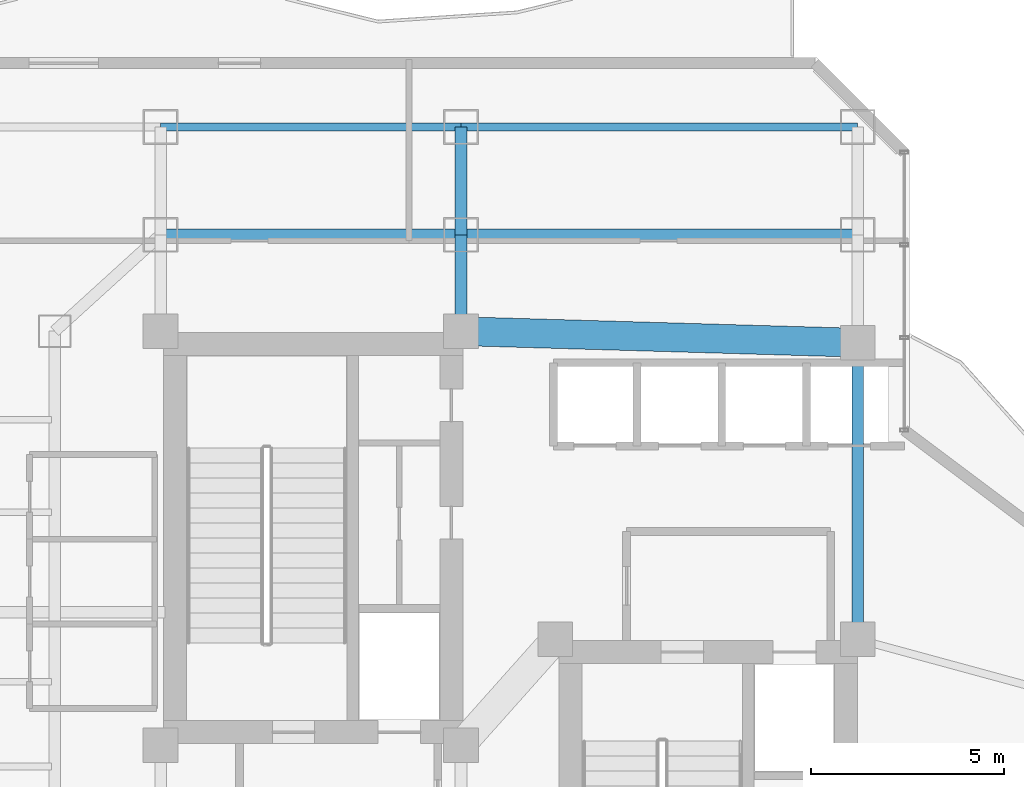
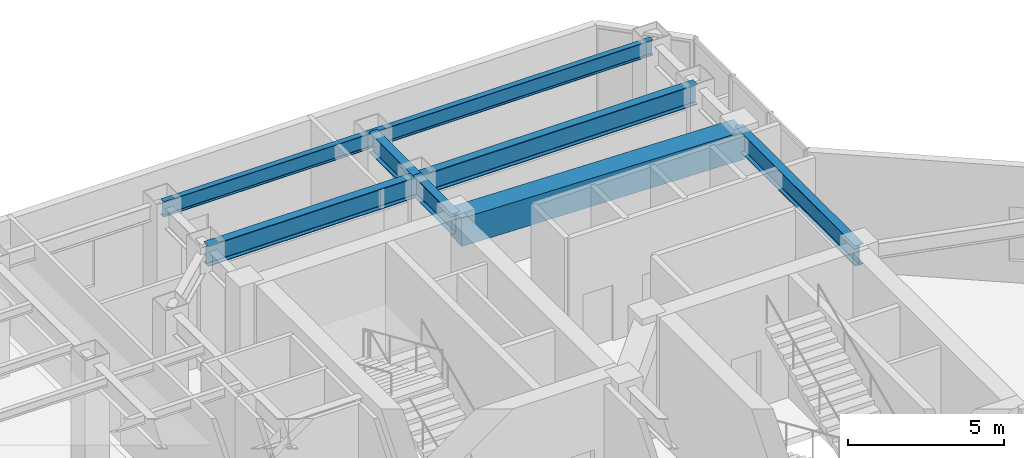
# One storey, part 16 of 27: 8 beams.
"""IFC4 building model written with IfcOpenShell, lengths in metres."""

import ifcopenshell
import ifcopenshell.guid

model = None  # the IFC model being written
_history = None  # IfcOwnerHistory: only IFC2X3 demands one
_inside = {}  # id of a spatial element -> (the spatial element, [elements in it])
_under = {}  # id of a project, library or spatial element -> (it, [spatial elements below it])
_declared = {}  # id of a project -> (the project, [libraries it declares])
_typed = {}  # id of a type object -> (the type object, [elements of that type])
_made_of = {}  # id of a material, layer set ... -> (it, [elements and type objects made of it])


def new_model(schema):
    """Start an empty IFC model of exactly this schema.

    Asked for "IFC4X3", IfcOpenShell would pick the latest addendum, in which some entities
    have other attributes; the version numbers below select the first issue.
    IFC2X3 requires an IfcOwnerHistory on every rooted entity: one is made here for all.
    """
    global model, _history
    if schema == "IFC4X3":
        model = ifcopenshell.file(schema_version=(4, 3, 0, 0))
    else:
        model = ifcopenshell.file(schema=schema)
    _inside.clear()
    _under.clear()
    _declared.clear()
    _typed.clear()
    _made_of.clear()
    _history = None
    if model.schema == "IFC2X3":
        org = make("IfcOrganization", Name="unknown")
        user = make(
            "IfcPersonAndOrganization",
            ThePerson=make("IfcPerson", FamilyName="unknown"),
            TheOrganization=org,
        )
        app = make(
            "IfcApplication",
            ApplicationDeveloper=org,
            Version="unknown",
            ApplicationFullName="unknown",
            ApplicationIdentifier="unknown",
        )
        _history = make(
            "IfcOwnerHistory",
            OwningUser=user,
            OwningApplication=app,
            ChangeAction="ADDED",
            CreationDate=0,
        )
    return model


def make(cls, **values):
    """One entity of the class cls with the attributes given. An attribute that is None is left unset."""
    return model.create_entity(
        cls, **{name: value for name, value in values.items() if value is not None}
    )


def rooted(cls, **values):
    """An entity with a GlobalId (a new one), such as an element, a storey or a relation."""
    return make(cls, GlobalId=ifcopenshell.guid.new(), OwnerHistory=_history, **values)


def si_unit(unit_type, name, prefix=None):
    """IfcSIUnit, for example si_unit("LENGTHUNIT", "METRE", prefix="MILLI")."""
    return make("IfcSIUnit", UnitType=unit_type, Prefix=prefix, Name=name)


def assignment(units):
    """IfcUnitAssignment: the units of a project."""
    return None if units is None else make("IfcUnitAssignment", Units=units)


def point(xyz):
    """IfcCartesianPoint."""
    return None if xyz is None else make("IfcCartesianPoint", Coordinates=xyz)


def direction(xyz):
    """IfcDirection."""
    return None if xyz is None else make("IfcDirection", DirectionRatios=xyz)


def frame(location, z_axis=None, x_axis=None):
    """IfcAxis2Placement3D, a coordinate frame: its origin and axes. An axis left out is left unset."""
    return make(
        "IfcAxis2Placement3D",
        Location=point(location),
        Axis=direction(z_axis),
        RefDirection=direction(x_axis),
    )


def frame_2d(location, x_axis=None):
    """IfcAxis2Placement2D, a coordinate frame in the plane: its origin and x axis."""
    return make(
        "IfcAxis2Placement2D", Location=point(location), RefDirection=direction(x_axis)
    )


def origin():
    """The frame at (0, 0, 0) with its axes left unset."""
    return frame((0.0, 0.0, 0.0))


def origin_2d():
    """The frame at (0, 0) in the plane with its x axis left unset."""
    return frame_2d((0.0, 0.0))


def place(relative_to, where):
    """IfcLocalPlacement: puts the frame where relative to a parent placement (None: the world)."""
    return make(
        "IfcLocalPlacement", PlacementRelTo=relative_to, RelativePlacement=where
    )


def context(
    kind, dimensions, precision=None, world=None, true_north=None, identifier=None
):
    """IfcGeometricRepresentationContext, for example the 3D "Model" context."""
    return make(
        "IfcGeometricRepresentationContext",
        ContextIdentifier=identifier,
        ContextType=kind,
        CoordinateSpaceDimension=dimensions,
        Precision=precision,
        WorldCoordinateSystem=world,
        TrueNorth=true_north,
    )


def subcontext(parent, identifier, kind, view, scale=None):
    """IfcGeometricRepresentationSubContext, for example "Body" below "Model"."""
    return make(
        "IfcGeometricRepresentationSubContext",
        ContextIdentifier=identifier,
        ContextType=kind,
        ParentContext=parent,
        TargetScale=scale,
        TargetView=view,
    )


def project(units=None, contexts=None):
    """IfcProject with its units and contexts."""
    return rooted(
        "IfcProject",
        Name="project",
        RepresentationContexts=contexts,
        UnitsInContext=assignment(units),
    )


def spatial(cls, under=None, at=None, **own):
    """A site, building, storey or space (cls), placed at a placement, below another one or the project."""
    s = rooted(cls, ObjectPlacement=at, **own)
    if under is not None:
        _under.setdefault(under.id(), (under, []))[1].append(s)
    return s


def profile(cls, at=None, kind="AREA", **sizes):
    """A parametric profile (cls). Its sizes go by their IFC names, for example OverallWidth=200.0."""
    return make(cls, ProfileType=kind, Position=at, **sizes)


def rectangle(**sizes):
    """IfcRectangleProfileDef."""
    return profile("IfcRectangleProfileDef", **sizes)


def i_section(**sizes):
    """IfcIShapeProfileDef."""
    return profile("IfcIShapeProfileDef", **sizes)


def extrude(swept, where, along, depth):
    """IfcExtrudedAreaSolid: the profile swept, set in the frame where, extruded along a direction by depth."""
    return make(
        "IfcExtrudedAreaSolid",
        SweptArea=swept,
        Position=where,
        ExtrudedDirection=direction(along),
        Depth=depth,
    )


def shape(context_of_items, identifier, shape_type, items):
    """IfcShapeRepresentation: the items that make up one representation, for example the "Body"."""
    return make(
        "IfcShapeRepresentation",
        ContextOfItems=context_of_items,
        RepresentationIdentifier=identifier,
        RepresentationType=shape_type,
        Items=items,
    )


def material(Name=None, Category=None):
    """IfcMaterial."""
    return make("IfcMaterial", Name=Name, Category=Category)


def material_profile(
    of_material, cross_section, Name=None, Category=None, Priority=None
):
    """IfcMaterialProfile: a cross section and its material."""
    return make(
        "IfcMaterialProfile",
        Name=Name,
        Material=of_material,
        Profile=cross_section,
        Priority=Priority,
        Category=Category,
    )


def profile_set(profiles, Name=None, composite=None):
    """IfcMaterialProfileSet."""
    return make(
        "IfcMaterialProfileSet",
        Name=Name,
        MaterialProfiles=profiles,
        CompositeProfile=composite,
    )


def made_of(thing, what):
    """Note that an element or type object is made of a material, layer set ...; save() writes the relation."""
    if what is not None:
        _made_of.setdefault(what.id(), (what, []))[1].append(thing)
    return thing


def type_object(cls, material=None, **own):
    """A type object (cls), such as IfcWallType, which elements share."""
    return made_of(rooted(cls, **own), material)


def element(
    cls,
    number,
    at=None,
    inside=None,
    cuts=None,
    type_object=None,
    material=None,
    context=None,
    identifier="Body",
    shape_type=None,
    held_by="IfcProductDefinitionShape",
    body=None,
    shapes=None,
    **own,
):
    """One element of the class cls, such as IfcWall. Its Tag is "e" and its number.

    at: its placement. inside: the storey or other place that contains it. cuts: it is an
    opening in that element (IfcRelVoidsElement). A single representation is given by context,
    identifier, shape_type and body (its items); several are given by shapes. held_by: the class
    of the entity that holds the representations. save() writes the other relations.
    """
    e = rooted(cls, Tag="e%d" % number, ObjectPlacement=at, **own)
    if body is not None:
        shapes = [shape(context, identifier, shape_type, body)]
    if shapes is not None:
        e.Representation = make(held_by, Representations=shapes)
    if inside is not None:
        _inside.setdefault(inside.id(), (inside, []))[1].append(e)
    if cuts is not None:
        rooted(
            "IfcRelVoidsElement", RelatingBuildingElement=cuts, RelatedOpeningElement=e
        )
    if type_object is not None:
        _typed.setdefault(type_object.id(), (type_object, []))[1].append(e)
    return made_of(e, material)


def aggregate(whole, parts):
    """IfcRelAggregates: a whole, such as a stair, and the parts it consists of."""
    return rooted("IfcRelAggregates", RelatingObject=whole, RelatedObjects=parts)


def save(model, path):
    """Write the relations noted so far, then the file.

    IfcRelAggregates (storeys below a building ...), IfcRelContainedInSpatialStructure (elements
    in a storey), IfcRelDefinesByType, IfcRelAssociatesMaterial and IfcRelDeclares: one each for
    every whole, place, type object, material and project.
    """
    for whole, parts in _under.values():
        aggregate(whole, parts)
    for where, things in _inside.values():
        rooted(
            "IfcRelContainedInSpatialStructure",
            RelatedElements=things,
            RelatingStructure=where,
        )
    for kind, things in _typed.values():
        rooted("IfcRelDefinesByType", RelatedObjects=things, RelatingType=kind)
    for what, things in _made_of.values():
        rooted("IfcRelAssociatesMaterial", RelatedObjects=things, RelatingMaterial=what)
    for by, libraries in _declared.values():
        rooted("IfcRelDeclares", RelatingContext=by, RelatedDefinitions=libraries)
    model.write(path)


model = new_model("IFC4")

# Units and contexts
model_context = context("Model", 3, precision=1e-05, world=origin(), true_north=direction((0.0, 1.0)))
body_context = subcontext(model_context, "Body", "Model", "MODEL_VIEW")
ifc_project = project(units=[si_unit("LENGTHUNIT", "METRE"), si_unit("AREAUNIT", "SQUARE_METRE"), si_unit("VOLUMEUNIT", "CUBIC_METRE"), si_unit("PLANEANGLEUNIT", "RADIAN"), si_unit("MASSUNIT", "GRAM", prefix="KILO")], contexts=[model_context])

# Site, building, storey
site_placement = place(None, origin())
site = spatial("IfcSite", under=ifc_project, at=site_placement, CompositionType="ELEMENT")
building_placement = place(site_placement, origin())
building = spatial("IfcBuilding", under=site, at=building_placement, Name="Hatsunagi Terrace Concourse", CompositionType="ELEMENT")
storey_placement = place(building_placement, frame((0.0, 0.0, 96.449951171875)))
storey = spatial("IfcBuildingStorey", under=building, at=storey_placement, Name="L25", CompositionType="ELEMENT", Elevation=96.449951171875)

# Beams
ifc_material_1 = material(Name="Concrete Fc48", Category="concrete")
ifc_material_profile_1 = material_profile(ifc_material_1, rectangle(XDim=0.75, YDim=1.10009765625, at=origin_2d()), Name="RC-750x1100")
ifc_profile_set_1 = profile_set([ifc_material_profile_1], Name="Concrete Fc48")
beam_type_1 = type_object("IfcBeamType", Name="CoreCouplingBeam_RC_750x1100", PredefinedType="BEAM", material=ifc_profile_set_1)
beam_1_placement = place(storey_placement, frame((33.35009765625, 43.300048828125, 4.0), z_axis=(0.999575947545, -0.029119153303, 0.0), x_axis=(0.029119153303, 0.999575947545, 0.0)))
element("IfcBeam", 1, at=beam_1_placement, inside=storey, type_object=beam_type_1, Name="Beam CB-02 CB-L25-2", PredefinedType="BEAM", context=body_context, shape_type="SweptSolid", body=[
    extrude(rectangle(XDim=0.75, YDim=1.10009765625, at=origin_2d()), origin(), (0.0, 0.0, 1.0), 10.30419921875),
])
ifc_material_2 = material(Name="Steel SN490B", Category="steel")
ifc_material_profile_2 = material_profile(ifc_material_2, i_section(OverallWidth=0.199951171875, OverallDepth=0.60009765625, WebThickness=0.010986328125, FlangeThickness=0.01708984375, FilletRadius=0.01806640625, at=origin_2d()), Name="H-600x200x11x17")
ifc_profile_set_2 = profile_set([ifc_material_profile_2], Name="Steel SN490B")
beam_type_2 = type_object("IfcBeamType", Name="PerimeterSpandrel_H_600x200", PredefinedType="SPANDREL", material=ifc_profile_set_2)
beam_2_placement = place(storey_placement, frame((25.550048828125, 48.60009765625, 4.25), z_axis=(1.0, 0.0, 0.0), x_axis=(0.0, 1.0, 0.0)))
element("IfcBeam", 2, at=beam_2_placement, inside=storey, type_object=beam_type_2, Name="Beam SP-01 BM-L25-WN-25", PredefinedType="SPANDREL", context=body_context, shape_type="SweptSolid", body=[
    extrude(i_section(OverallWidth=0.199951171875, OverallDepth=0.60009765625, WebThickness=0.010986328125, FlangeThickness=0.01708984375, FilletRadius=0.01806640625, at=origin_2d()), origin(), (0.0, 0.0, 1.0), 7.800048828125),
])
beam_3_placement = place(storey_placement, frame((33.35009765625, 48.60009765625, 4.25), z_axis=(1.0, 0.0, 0.0), x_axis=(0.0, 1.0, 0.0)))
element("IfcBeam", 3, at=beam_3_placement, inside=storey, type_object=beam_type_2, Name="Beam SP-01 BM-L25-WN-33", PredefinedType="SPANDREL", context=body_context, shape_type="SweptSolid", body=[
    extrude(i_section(OverallWidth=0.199951171875, OverallDepth=0.60009765625, WebThickness=0.010986328125, FlangeThickness=0.01708984375, FilletRadius=0.01806640625, at=origin_2d()), origin(), (0.0, 0.0, 1.0), 10.2998046875),
])
ifc_material_3 = material(Name="Steel SN490B", Category="steel")
ifc_material_profile_3 = material_profile(ifc_material_3, i_section(OverallWidth=0.300048828125, OverallDepth=0.800048828125, WebThickness=0.013916015625, FlangeThickness=0.02587890625, FilletRadius=0.02197265625, at=origin_2d()), Name="H-800x300x14x26")
ifc_profile_set_3 = profile_set([ifc_material_profile_3], Name="Steel SN490B")
beam_type_3 = type_object("IfcBeamType", Name="SkyLobbyGirder_H_800x300", PredefinedType="BEAM", material=ifc_profile_set_3)
beam_4_placement = place(storey_placement, frame((43.64990234375, 35.300048828125, 4.150146484375), z_axis=(0.0, 1.0, 0.0), x_axis=(-1.0, 0.0, 0.0)))
element("IfcBeam", 4, at=beam_4_placement, inside=storey, type_object=beam_type_3, Name="Beam G-03 BM-L25-CBK3", PredefinedType="BEAM", context=body_context, shape_type="SweptSolid", body=[
    extrude(i_section(OverallWidth=0.300048828125, OverallDepth=0.800048828125, WebThickness=0.013916015625, FlangeThickness=0.02587890625, FilletRadius=0.02197265625, at=origin_2d()), origin(), (0.0, 0.0, 1.0), 7.699951171875),
])
beam_5_placement = place(storey_placement, frame((33.35009765625, 43.300048828125, 4.150146484375), z_axis=(0.0, 1.0, 0.0), x_axis=(-1.0, 0.0, 0.0)))
element("IfcBeam", 5, at=beam_5_placement, inside=storey, type_object=beam_type_3, Name="Beam G-03 BM-L25-CN2", PredefinedType="BEAM", context=body_context, shape_type="SweptSolid", body=[
    extrude(i_section(OverallWidth=0.300048828125, OverallDepth=0.800048828125, WebThickness=0.013916015625, FlangeThickness=0.02587890625, FilletRadius=0.02197265625, at=origin_2d()), origin(), (0.0, 0.0, 1.0), 2.5),
])
beam_6_placement = place(storey_placement, frame((25.550048828125, 45.800048828125, 4.150146484375), z_axis=(1.0, 0.0, 0.0), x_axis=(0.0, 1.0, 0.0)))
element("IfcBeam", 6, at=beam_6_placement, inside=storey, type_object=beam_type_3, Name="Beam G-03 BM-L25-CNEW1", PredefinedType="BEAM", context=body_context, shape_type="SweptSolid", body=[
    extrude(i_section(OverallWidth=0.300048828125, OverallDepth=0.800048828125, WebThickness=0.013916015625, FlangeThickness=0.02587890625, FilletRadius=0.02197265625, at=origin_2d()), origin(), (0.0, 0.0, 1.0), 7.800048828125),
])
beam_7_placement = place(storey_placement, frame((33.35009765625, 45.800048828125, 4.150146484375), z_axis=(1.0, 0.0, 0.0), x_axis=(0.0, 1.0, 0.0)))
element("IfcBeam", 7, at=beam_7_placement, inside=storey, type_object=beam_type_3, Name="Beam G-03 BM-L25-CNEW2", PredefinedType="BEAM", context=body_context, shape_type="SweptSolid", body=[
    extrude(i_section(OverallWidth=0.300048828125, OverallDepth=0.800048828125, WebThickness=0.013916015625, FlangeThickness=0.02587890625, FilletRadius=0.02197265625, at=origin_2d()), origin(), (0.0, 0.0, 1.0), 10.2998046875),
])
beam_8_placement = place(storey_placement, frame((33.35009765625, 45.800048828125, 4.150146484375), z_axis=(0.0, 1.0, 0.0), x_axis=(-1.0, 0.0, 0.0)))
element("IfcBeam", 8, at=beam_8_placement, inside=storey, type_object=beam_type_3, Name="Beam G-03 BM-L25-KN-WN5", PredefinedType="BEAM", context=body_context, shape_type="SweptSolid", body=[
    extrude(i_section(OverallWidth=0.300048828125, OverallDepth=0.800048828125, WebThickness=0.013916015625, FlangeThickness=0.02587890625, FilletRadius=0.02197265625, at=origin_2d()), origin(), (0.0, 0.0, 1.0), 2.800048828125),
])

save(model, "model.ifc")
